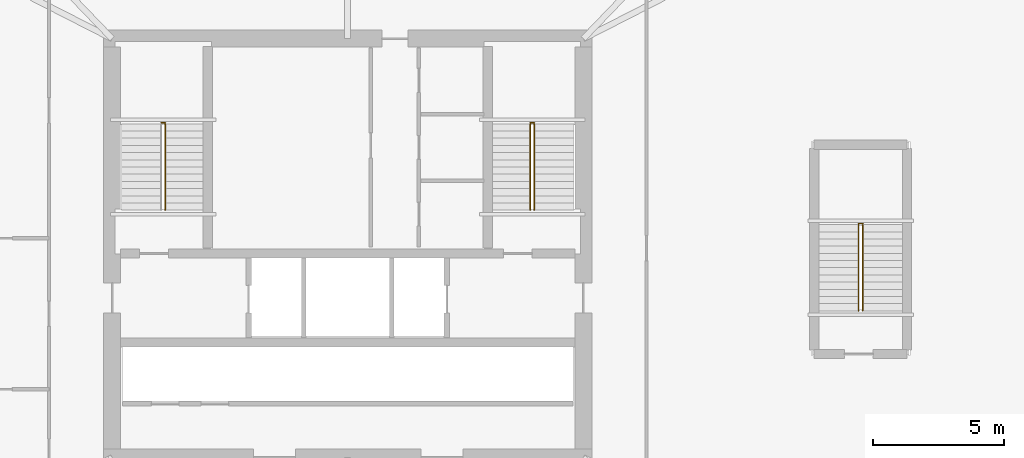
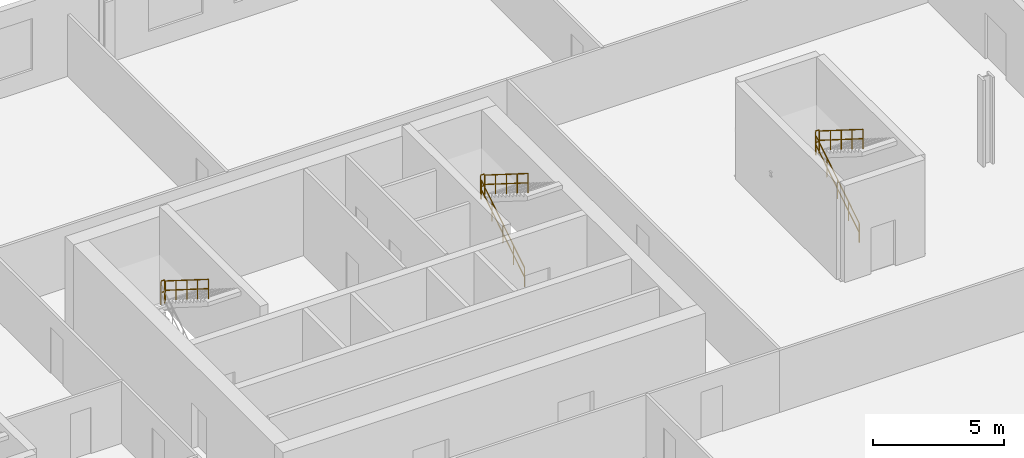
# One storey, part 8 of 8: 8 railings.
"""IFC4 building model written with IfcOpenShell, lengths in metres."""

from ifc_helpers import new_model, si_unit, direction, frame, origin, origin_2d, place, context, subcontext, project, spatial, circle, extrude, material, type_object, element, save


model = new_model("IFC4")

# Units and contexts
model_context = context("Model", 3, precision=1e-05, world=origin(), true_north=direction((0.0, 1.0)))
body_context = subcontext(model_context, "Body", "Model", "MODEL_VIEW")
ifc_project = project(units=[si_unit("LENGTHUNIT", "METRE"), si_unit("AREAUNIT", "SQUARE_METRE"), si_unit("VOLUMEUNIT", "CUBIC_METRE"), si_unit("PLANEANGLEUNIT", "RADIAN"), si_unit("MASSUNIT", "GRAM", prefix="KILO")], contexts=[model_context])

# Site, building, storey
site_placement = place(None, origin())
site = spatial("IfcSite", under=ifc_project, at=site_placement, CompositionType="ELEMENT")
building_placement = place(site_placement, origin())
building = spatial("IfcBuilding", under=site, at=building_placement, Name="Caelvoria Tower", CompositionType="ELEMENT")
storey_placement = place(building_placement, frame((0.0, 0.0, 18.5)))
storey = spatial("IfcBuildingStorey", under=building, at=storey_placement, Name="L04", CompositionType="ELEMENT", Elevation=18.5)

# Railings
ifc_material_1 = material(Name="Brushed Stainless Steel Tube", Category="steel")
railing_type_1 = type_object("IfcRailingType", Name="Stair Tubular Stainless Handrail 920", PredefinedType="HANDRAIL", material=ifc_material_1)
railing_1_placement = place(storey_placement, frame((39.030029296875, 36.75, 2.423095703125)))
element("IfcRailing", 1, at=railing_1_placement, inside=storey, type_object=railing_type_1, Name="ST-01 Flight 2 Handrail L04", PredefinedType="HANDRAIL", context=body_context, shape_type="SweptSolid", body=[
    extrude(circle(Radius=0.02392578125, at=origin_2d()), frame((0.0, 0.0, 0.89599609375), z_axis=(0.0, -0.846337383501, 0.532647194011), x_axis=(1.0, 0.0, 0.0)), (0.0, 0.0, 1.0), 3.899169921875),
    extrude(circle(Radius=0.02392578125, at=origin_2d()), frame((0.0, 0.0, 0.4599609375), z_axis=(0.0, -0.846337383501, 0.532647194011), x_axis=(1.0, 0.0, 0.0)), (0.0, 0.0, 1.0), 3.899169921875),
    extrude(circle(Radius=0.02099609375, at=origin_2d()), origin(), (0.0, 0.0, 1.0), 0.871826171875),
    extrude(circle(Radius=0.02099609375, at=origin_2d()), frame((0.0, -0.824951171875, 0.519287109375)), (0.0, 0.0, 1.0), 0.871826171875),
    extrude(circle(Radius=0.02099609375, at=origin_2d()), frame((0.0, -1.64990234375, 1.03857421875)), (0.0, 0.0, 1.0), 0.871826171875),
    extrude(circle(Radius=0.02099609375, at=origin_2d()), frame((0.0, -2.47509765625, 1.5576171875)), (0.0, 0.0, 1.0), 0.871826171875),
    extrude(circle(Radius=0.02099609375, at=origin_2d()), frame((0.0, -3.300048828125, 2.076904296875)), (0.0, 0.0, 1.0), 0.871826171875),
])
railing_2_placement = place(storey_placement, frame((52.969970703125, 33.449951171875, 0.173095703125)))
element("IfcRailing", 2, at=railing_2_placement, inside=storey, type_object=railing_type_1, Name="ST-02 Flight 1 Handrail L04", PredefinedType="HANDRAIL", context=body_context, shape_type="SweptSolid", body=[
    extrude(circle(Radius=0.02392578125, at=origin_2d()), frame((0.0, 0.0, 0.89599609375), z_axis=(0.0, 0.846337383501, 0.532647194011), x_axis=(-1.0, 0.0, 0.0)), (0.0, 0.0, 1.0), 3.899169921875),
    extrude(circle(Radius=0.02392578125, at=origin_2d()), frame((0.0, 0.0, 0.4599609375), z_axis=(0.0, 0.846337383501, 0.532647194011), x_axis=(-1.0, 0.0, 0.0)), (0.0, 0.0, 1.0), 3.899169921875),
    extrude(circle(Radius=0.02099609375, at=origin_2d()), origin(), (0.0, 0.0, 1.0), 0.871826171875),
    extrude(circle(Radius=0.02099609375, at=origin_2d()), frame((0.0, 0.824951171875, 0.519287109375)), (0.0, 0.0, 1.0), 0.871826171875),
    extrude(circle(Radius=0.02099609375, at=origin_2d()), frame((0.0, 1.64990234375, 1.03857421875)), (0.0, 0.0, 1.0), 0.871826171875),
    extrude(circle(Radius=0.02099609375, at=origin_2d()), frame((0.0, 2.47509765625, 1.5576171875)), (0.0, 0.0, 1.0), 0.871826171875),
    extrude(circle(Radius=0.02099609375, at=origin_2d()), frame((0.0, 3.300048828125, 2.076904296875)), (0.0, 0.0, 1.0), 0.871826171875),
])
railing_3_placement = place(storey_placement, frame((53.1298828125, 36.75, 2.423095703125)))
element("IfcRailing", 3, at=railing_3_placement, inside=storey, type_object=railing_type_1, Name="ST-02 Flight 2 Handrail L04", PredefinedType="HANDRAIL", context=body_context, shape_type="SweptSolid", body=[
    extrude(circle(Radius=0.02392578125, at=origin_2d()), frame((0.0, 0.0, 0.89599609375), z_axis=(0.0, -0.846337383501, 0.532647194011), x_axis=(1.0, 0.0, 0.0)), (0.0, 0.0, 1.0), 3.899169921875),
    extrude(circle(Radius=0.02392578125, at=origin_2d()), frame((0.0, 0.0, 0.4599609375), z_axis=(0.0, -0.846337383501, 0.532647194011), x_axis=(1.0, 0.0, 0.0)), (0.0, 0.0, 1.0), 3.899169921875),
    extrude(circle(Radius=0.02099609375, at=origin_2d()), origin(), (0.0, 0.0, 1.0), 0.871826171875),
    extrude(circle(Radius=0.02099609375, at=origin_2d()), frame((0.0, -0.824951171875, 0.519287109375)), (0.0, 0.0, 1.0), 0.871826171875),
    extrude(circle(Radius=0.02099609375, at=origin_2d()), frame((0.0, -1.64990234375, 1.03857421875)), (0.0, 0.0, 1.0), 0.871826171875),
    extrude(circle(Radius=0.02099609375, at=origin_2d()), frame((0.0, -2.47509765625, 1.5576171875)), (0.0, 0.0, 1.0), 0.871826171875),
    extrude(circle(Radius=0.02099609375, at=origin_2d()), frame((0.0, -3.300048828125, 2.076904296875)), (0.0, 0.0, 1.0), 0.871826171875),
])
railing_4_placement = place(storey_placement, frame((65.52001953125, 29.60009765625, 0.173095703125)))
element("IfcRailing", 4, at=railing_4_placement, inside=storey, type_object=railing_type_1, Name="ST-04 Flight 1 Handrail L04", PredefinedType="HANDRAIL", context=body_context, shape_type="SweptSolid", body=[
    extrude(circle(Radius=0.02392578125, at=origin_2d()), frame((0.0, 0.0, 0.89599609375), z_axis=(0.0, 0.846319618018, 0.532675421018), x_axis=(-1.0, 0.0, 0.0)), (0.0, 0.0, 1.0), 3.89892578125),
    extrude(circle(Radius=0.02392578125, at=origin_2d()), frame((0.0, 0.0, 0.4599609375), z_axis=(0.0, 0.846319618018, 0.532675421018), x_axis=(-1.0, 0.0, 0.0)), (0.0, 0.0, 1.0), 3.89892578125),
    extrude(circle(Radius=0.02099609375, at=origin_2d()), origin(), (0.0, 0.0, 1.0), 0.871826171875),
    extrude(circle(Radius=0.02099609375, at=origin_2d()), frame((0.0, 0.824951171875, 0.519287109375)), (0.0, 0.0, 1.0), 0.871826171875),
    extrude(circle(Radius=0.02099609375, at=origin_2d()), frame((0.0, 1.64990234375, 1.03857421875)), (0.0, 0.0, 1.0), 0.871826171875),
    extrude(circle(Radius=0.02099609375, at=origin_2d()), frame((0.0, 2.474853515625, 1.5576171875)), (0.0, 0.0, 1.0), 0.871826171875),
    extrude(circle(Radius=0.02099609375, at=origin_2d()), frame((0.0, 3.2998046875, 2.076904296875)), (0.0, 0.0, 1.0), 0.871826171875),
])
railing_5_placement = place(storey_placement, frame((65.679931640625, 32.89990234375, 2.423095703125)))
element("IfcRailing", 5, at=railing_5_placement, inside=storey, type_object=railing_type_1, Name="ST-04 Flight 2 Handrail L04", PredefinedType="HANDRAIL", context=body_context, shape_type="SweptSolid", body=[
    extrude(circle(Radius=0.02392578125, at=origin_2d()), frame((0.0, 0.0, 0.89599609375), z_axis=(0.0, -0.846319618018, 0.532675421018), x_axis=(1.0, 0.0, 0.0)), (0.0, 0.0, 1.0), 3.89892578125),
    extrude(circle(Radius=0.02392578125, at=origin_2d()), frame((0.0, 0.0, 0.4599609375), z_axis=(0.0, -0.846319618018, 0.532675421018), x_axis=(1.0, 0.0, 0.0)), (0.0, 0.0, 1.0), 3.89892578125),
    extrude(circle(Radius=0.02099609375, at=origin_2d()), origin(), (0.0, 0.0, 1.0), 0.871826171875),
    extrude(circle(Radius=0.02099609375, at=origin_2d()), frame((0.0, -0.824951171875, 0.519287109375)), (0.0, 0.0, 1.0), 0.871826171875),
    extrude(circle(Radius=0.02099609375, at=origin_2d()), frame((0.0, -1.64990234375, 1.03857421875)), (0.0, 0.0, 1.0), 0.871826171875),
    extrude(circle(Radius=0.02099609375, at=origin_2d()), frame((0.0, -2.474853515625, 1.5576171875)), (0.0, 0.0, 1.0), 0.871826171875),
    extrude(circle(Radius=0.02099609375, at=origin_2d()), frame((0.0, -3.2998046875, 2.076904296875)), (0.0, 0.0, 1.0), 0.871826171875),
])
ifc_material_2 = material(Name="Brushed Stainless Steel Guardrail", Category="steel")
railing_type_2 = type_object("IfcRailingType", Name="Stair Well and Ramp Guardrail 1120", PredefinedType="GUARDRAIL", material=ifc_material_2)
for number, where, name in (
    (6, (38.8701171875, 36.7900390625, 2.25), "ST-01 Half-Landing Well Guard L04"),
    (7, (52.969970703125, 36.7900390625, 2.25), "ST-02 Half-Landing Well Guard L04"),
    (8, (65.52001953125, 32.93994140625, 2.25), "ST-04 Half-Landing Well Guard L04"),
):
    element("IfcRailing", number, at=place(storey_placement, frame(where)), inside=storey, type_object=railing_type_2, Name=name, PredefinedType="GUARDRAIL", context=body_context, shape_type="SweptSolid", body=[
        extrude(circle(Radius=0.02392578125, at=origin_2d()), frame((0.0, 0.0, 1.09619140625), z_axis=(1.0, 0.0, 0.0), x_axis=(0.0, 1.0, 0.0)), (0.0, 0.0, 1.0), 0.159912109375),
        extrude(circle(Radius=0.02392578125, at=origin_2d()), frame((0.0, 0.0, 0.56005859375), z_axis=(1.0, 0.0, 0.0), x_axis=(0.0, 1.0, 0.0)), (0.0, 0.0, 1.0), 0.159912109375),
        extrude(circle(Radius=0.02099609375, at=origin_2d()), origin(), (0.0, 0.0, 1.0), 1.072021484375),
        extrude(circle(Radius=0.02099609375, at=origin_2d()), frame((0.159912109375, 0.0, 0.0)), (0.0, 0.0, 1.0), 1.072021484375),
    ])

save(model, "model.ifc")
